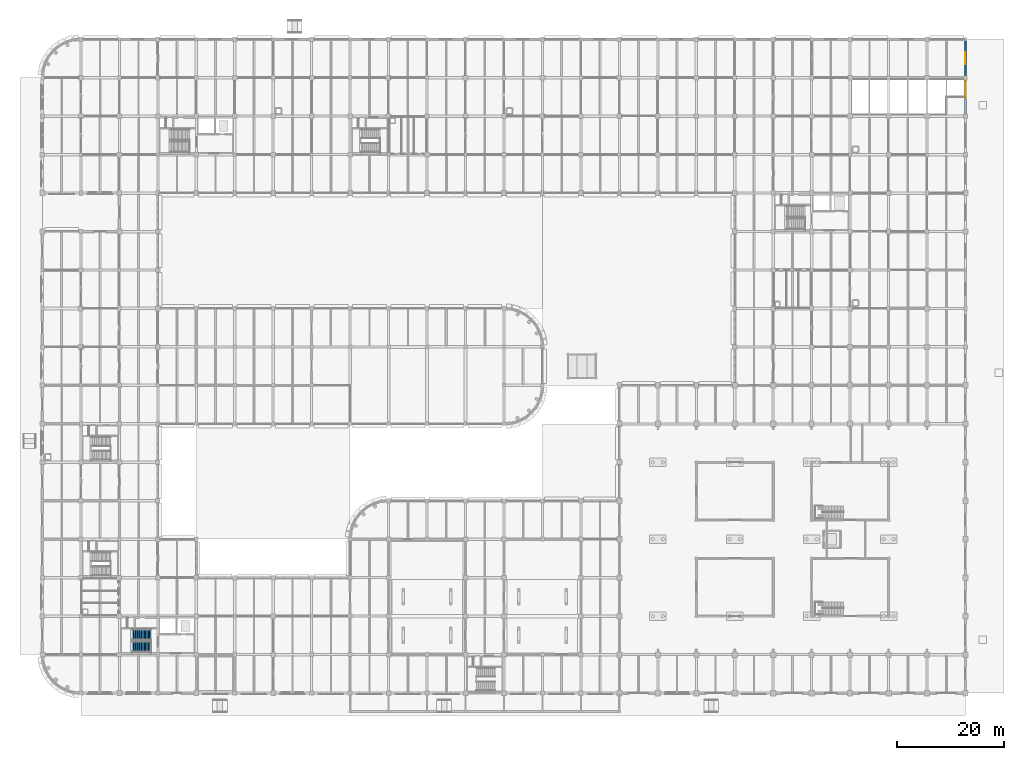
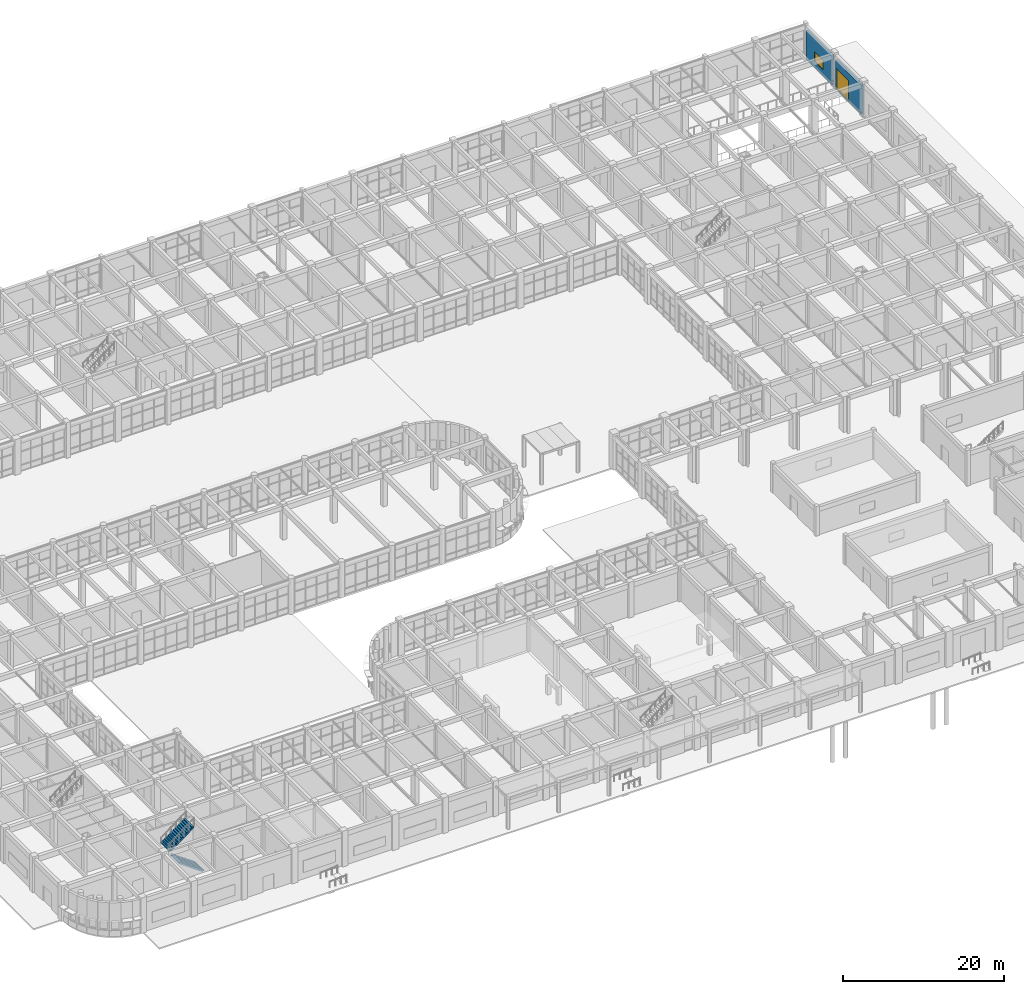
# One storey, part 149 of 160: 2 stair flights, 2 walls, 1 door, 1 window, 2 openings, 1 element without a shape of its own.
"""IFC4 building model written with IfcOpenShell, lengths in metres."""

from ifc_helpers import new_model, si_unit, direction, frame, frame_2d, origin, place, context, subcontext, project, spatial, polyline, rectangle, outline, extrude, material, layer, layer_set, type_object, element, fill, aggregate, save


model = new_model("IFC4")

# Units and contexts
model_context = context("Model", 3, precision=1e-05, world=origin(), true_north=direction((0.0, 1.0)))
body_context = subcontext(model_context, "Body", "Model", "MODEL_VIEW")
ifc_project = project(units=[si_unit("LENGTHUNIT", "METRE"), si_unit("AREAUNIT", "SQUARE_METRE"), si_unit("VOLUMEUNIT", "CUBIC_METRE"), si_unit("PLANEANGLEUNIT", "RADIAN"), si_unit("MASSUNIT", "GRAM", prefix="KILO")], contexts=[model_context])

# Site, building, storey
site_placement = place(None, origin())
site = spatial("IfcSite", under=ifc_project, at=site_placement, CompositionType="ELEMENT")
building_placement = place(site_placement, origin())
building = spatial("IfcBuilding", under=site, at=building_placement, Name="Thalmaran Polytechnic", CompositionType="ELEMENT")
storey_placement = place(building_placement, origin())
storey = spatial("IfcBuildingStorey", under=building, at=storey_placement, Name="L00", CompositionType="ELEMENT", Elevation=0.0)

# Wall, opening, door
ifc_material_1 = material(Name="Precast concrete C40/50", Category="concrete")
ifc_layer_1 = layer(ifc_material_1, 0.360107421875, Name="Precast concrete C40/50")
ifc_layer_set_1 = layer_set([ifc_layer_1], Name="Precast concrete C40/50")
wall_type_1 = type_object("IfcWallType", Name="WL-EW01", PredefinedType="STANDARD", material=ifc_layer_set_1)
wall_1_placement = place(storey_placement, frame((172.800048828125, 114.75, 0.0), z_axis=(0.0, 0.0, 1.0), x_axis=(0.0, -1.0, 0.0)))
wall_1 = element("IfcWall", 1, at=wall_1_placement, inside=storey, type_object=wall_type_1, Name="Basement Vehicle Ramp Portal Wall", PredefinedType="STANDARD", context=body_context, shape_type="SweptSolid", body=[
    extrude(rectangle(XDim=6.35009765625, YDim=0.360107421875, at=frame_2d((3.175048828125, 0.0))), origin(), (0.0, 0.0, 1.0), 4.3349609375),
])
opening_1_placement = place(wall_1_placement, frame((0.10009765625, 0.0, 0.0)))
opening_1 = element("IfcOpeningElement", 2, at=opening_1_placement, cuts=wall_1, Name="Opening VG-01", PredefinedType="OPENING", context=body_context, shape_type="SweptSolid", body=[
    extrude(rectangle(XDim=3.199951171875, YDim=3.199951171875, at=frame_2d((1.60009765625, 1.60009765625))), frame((0.0, 0.18994140625, 0.0), z_axis=(0.0, -1.0, 0.0), x_axis=(1.0, 0.0, 0.0)), (0.0, 0.0, 1.0), 0.380126953125),
])
ifc_material_2 = material(Name="Galvanised insulated steel roller shutter", Category="steel")
door_type = type_object("IfcDoorType", Name="DR-VG01", OperationType="NOTDEFINED", PredefinedType="GATE", material=ifc_material_2)
door_placement = place(opening_1_placement, origin())
door = element("IfcDoor", 3, at=door_placement, inside=storey, type_object=door_type, Name="Car Park Vehicle Entry Roller Shutter Gate VG-01", OperationType="ROLLINGUP", OverallHeight=3.199951171875, OverallWidth=3.199951171875, PredefinedType="GATE", context=body_context, shape_type="SweptSolid", body=[
    extrude(rectangle(XDim=3.199951171875, YDim=3.199951171875, at=frame_2d((1.60009765625, 1.60009765625))), frame((0.0, 0.02490234375, 0.0), z_axis=(0.0, -1.0, 0.0), x_axis=(1.0, 0.0, 0.0)), (0.0, 0.0, 1.0), 0.050048828125),
])
fill(opening_1, door)

# Wall, opening, window
ifc_layer_2 = layer(ifc_material_1, 0.330078125, Name="Precast concrete C40/50")
ifc_layer_set_2 = layer_set([ifc_layer_2], Name="Precast concrete C40/50")
wall_type_2 = type_object("IfcWallType", Name="WL-EW02", PredefinedType="STANDARD", material=ifc_layer_set_2)
wall_2_placement = place(storey_placement, frame((172.800048828125, 122.074951171875, 0.0), z_axis=(0.0, 0.0, 1.0), x_axis=(0.0, -1.0, 0.0)))
wall_2 = element("IfcWall", 4, at=wall_2_placement, inside=storey, type_object=wall_type_2, Name="Exterior Precast Facade Wall L00-052", PredefinedType="STANDARD", context=body_context, shape_type="SweptSolid", body=[
    extrude(rectangle(XDim=6.425048828125, YDim=0.330078125, at=frame_2d((3.21240234375, 0.0))), origin(), (0.0, 0.0, 1.0), 4.3349609375),
])
opening_2_placement = place(wall_2_placement, frame((2.112548828125, 0.0, 0.97998046875)))
opening_2 = element("IfcOpeningElement", 5, at=opening_2_placement, cuts=wall_2, Name="Opening VW06", PredefinedType="OPENING", context=body_context, shape_type="SweptSolid", body=[
    extrude(rectangle(XDim=2.199951171875, YDim=1.449951171875, at=frame_2d((1.10009765625, 0.72509765625))), frame((0.0, 0.175048828125, 0.0), z_axis=(0.0, -1.0, 0.0), x_axis=(1.0, 0.0, 0.0)), (0.0, 0.0, 1.0), 0.35009765625),
])
ifc_material_3 = material(Name="Thermally broken aluminium and double low-E glass", Category="aluminium")
window_type = type_object("IfcWindowType", Name="WN-VZ06", PartitioningType="DOUBLE_PANEL_VERTICAL", PredefinedType="WINDOW", material=ifc_material_3)
window_placement = place(opening_2_placement, origin())
window = element("IfcWindow", 6, at=window_placement, inside=storey, type_object=window_type, Name="Streamline Ribbon Window W-0025", OverallHeight=1.449951171875, OverallWidth=2.199951171875, PartitioningType="SINGLE_PANEL", PredefinedType="WINDOW", context=body_context, shape_type="SweptSolid", body=[
    extrude(rectangle(XDim=2.199951171875, YDim=1.449951171875, at=frame_2d((1.10009765625, 0.72509765625))), frame((0.0, -0.030029296875, 0.0), z_axis=(0.0, -1.0, 0.0), x_axis=(1.0, 0.0, 0.0)), (0.0, 0.0, 1.0), 0.06005859375),
])
fill(opening_2, window)

# Stair, stair flights
ifc_material_4 = material(Name="Concrete C40/50", Category="concrete")
stair_type = type_object("IfcStairType", Name="ST-HT54", PredefinedType="HALF_TURN_STAIR", material=ifc_material_4)
stair_placement = place(storey_placement, origin())
stair = element("IfcStair", 7, at=stair_placement, inside=storey, type_object=stair_type, Name="Exit Stair ST1 L00", PredefinedType="HALF_TURN_STAIR")
stair_flight_type = type_object("IfcStairFlightType", Name="SF-FL16", PredefinedType="STRAIGHT", material=ifc_material_4)
stair_flight_1_placement = place(storey_placement, frame((20.320068359375, 8.56005859375, 0.0), z_axis=(0.0, 0.0, 1.0), x_axis=(-1.0, 0.0, 0.0)))
stair_flight_1 = element("IfcStairFlight", 8, at=stair_flight_1_placement, type_object=stair_flight_type, Name="Stair Flight ST1 L00 Lower", NumberOfRisers=15, NumberOfTreads=14, PredefinedType="STRAIGHT", RiserHeight=0.18, TreadLength=0.251429, context=body_context, shape_type="SweptSolid", body=[
    extrude(outline(polyline([(0.0, 0.0), (0.0, 0.179931640625), (0.25146484375, 0.179931640625), (0.25146484375, 0.360107421875), (0.5029296875, 0.360107421875), (0.5029296875, 0.5400390625), (0.75439453125, 0.5400390625), (0.75439453125, 0.719970703125), (1.005615234375, 0.719970703125), (1.005615234375, 0.89990234375), (1.257080078125, 0.89990234375), (1.257080078125, 1.080078125), (1.508544921875, 1.080078125), (1.508544921875, 1.260009765625), (1.760009765625, 1.260009765625), (1.760009765625, 1.43994140625), (2.011474609375, 1.43994140625), (2.011474609375, 1.6201171875), (2.262939453125, 1.6201171875), (2.262939453125, 1.800048828125), (2.514404296875, 1.800048828125), (2.514404296875, 1.97998046875), (2.765625, 1.97998046875), (2.765625, 2.159912109375), (3.01708984375, 2.159912109375), (3.01708984375, 2.340087890625), (3.2685546875, 2.340087890625), (3.2685546875, 2.52001953125), (3.52001953125, 2.52001953125), (3.52001953125, 2.699951171875), (3.52001953125, 2.298828125), (0.30908203125, 0.0), (0.0, 0.0)])), frame((0.0, 1.080078125, 0.0), z_axis=(0.0, -1.0, 0.0), x_axis=(1.0, 0.0, 0.0)), (0.0, 0.0, 1.0), 2.159912109375),
])
stair_flight_2_placement = place(storey_placement, frame((16.800048828125, 11.02001953125, 2.699951171875), z_axis=(0.0, 0.0, 1.0), x_axis=(1.0, 0.0, 0.0)))
stair_flight_2 = element("IfcStairFlight", 9, at=stair_flight_2_placement, type_object=stair_flight_type, Name="Stair Flight ST1 L00 Upper", NumberOfRisers=15, NumberOfTreads=14, PredefinedType="STRAIGHT", RiserHeight=0.18, TreadLength=0.251429, context=body_context, shape_type="SweptSolid", body=[
    extrude(outline(polyline([(0.0, 0.0), (0.0, 0.179931640625), (0.25146484375, 0.179931640625), (0.25146484375, 0.360107421875), (0.5029296875, 0.360107421875), (0.5029296875, 0.5400390625), (0.75439453125, 0.5400390625), (0.75439453125, 0.719970703125), (1.005615234375, 0.719970703125), (1.005615234375, 0.89990234375), (1.257080078125, 0.89990234375), (1.257080078125, 1.080078125), (1.508544921875, 1.080078125), (1.508544921875, 1.260009765625), (1.760009765625, 1.260009765625), (1.760009765625, 1.43994140625), (2.011474609375, 1.43994140625), (2.011474609375, 1.6201171875), (2.262939453125, 1.6201171875), (2.262939453125, 1.800048828125), (2.514404296875, 1.800048828125), (2.514404296875, 1.97998046875), (2.765625, 1.97998046875), (2.765625, 2.159912109375), (3.01708984375, 2.159912109375), (3.01708984375, 2.340087890625), (3.2685546875, 2.340087890625), (3.2685546875, 2.52001953125), (3.52001953125, 2.52001953125), (3.52001953125, 2.699951171875), (3.52001953125, 2.298828125), (0.30908203125, 0.0), (0.0, 0.0)])), frame((0.0, 1.080078125, 0.0), z_axis=(0.0, -1.0, 0.0), x_axis=(1.0, 0.0, 0.0)), (0.0, 0.0, 1.0), 2.159912109375),
])
aggregate(stair, [stair_flight_1, stair_flight_2])

save(model, "model.ifc")
